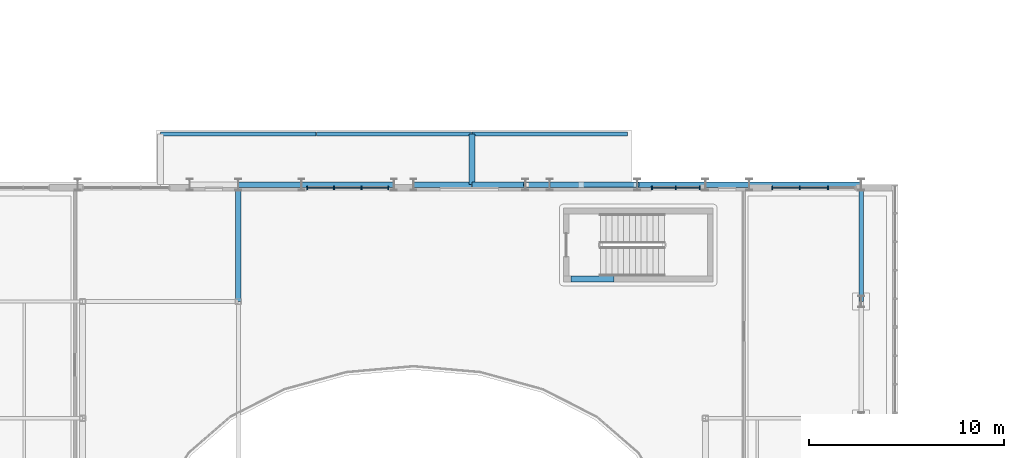
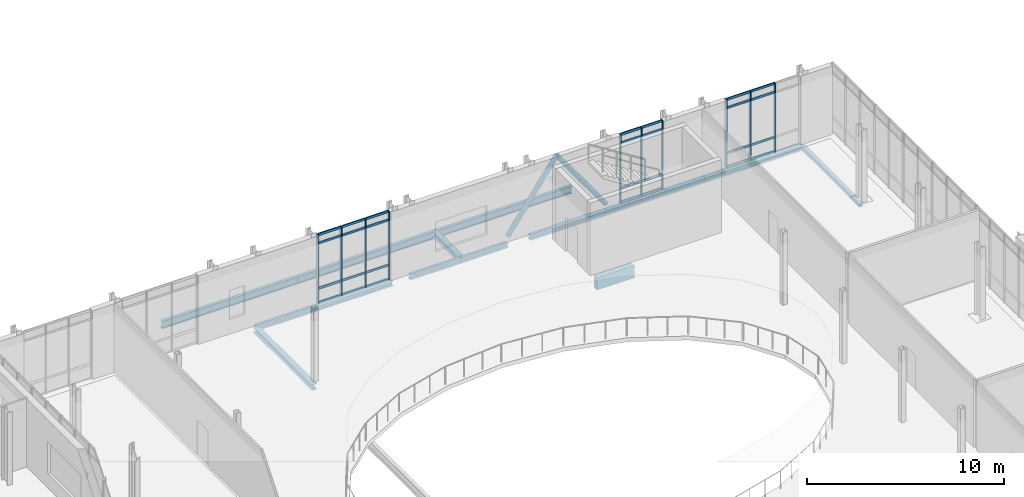
# One storey, part 32 of 100: 40 members, 15 beams, 3 elements without a shape of their own.
"""IFC4 building model written with IfcOpenShell, lengths in metres."""

from ifc_helpers import new_model, si_unit, direction, frame, origin, origin_2d, place, context, subcontext, project, spatial, rectangle, hollow_circle, i_section, extrude, material, material_profile, profile_set, type_object, element, aggregate, save


model = new_model("IFC4")

# Units and contexts
model_context = context("Model", 3, precision=1e-05, world=origin(), true_north=direction((0.0, 1.0)))
body_context = subcontext(model_context, "Body", "Model", "MODEL_VIEW")
ifc_project = project(units=[si_unit("LENGTHUNIT", "METRE"), si_unit("AREAUNIT", "SQUARE_METRE"), si_unit("VOLUMEUNIT", "CUBIC_METRE"), si_unit("PLANEANGLEUNIT", "RADIAN"), si_unit("MASSUNIT", "GRAM", prefix="KILO")], contexts=[model_context])

# Site, building, storey
site_placement = place(None, origin())
site = spatial("IfcSite", under=ifc_project, at=site_placement, CompositionType="ELEMENT")
building_placement = place(site_placement, origin())
building = spatial("IfcBuilding", under=site, at=building_placement, Name="Cymarion Research Institute", CompositionType="ELEMENT")
storey_placement = place(building_placement, frame((0.0, 0.0, 4.800048828125)))
storey = spatial("IfcBuildingStorey", under=building, at=storey_placement, Name="L01", CompositionType="ELEMENT", Elevation=4.800048828125)

# Beam
ifc_material_1 = material(Name="Concrete C40/50", Category="concrete")
ifc_material_profile_1 = material_profile(ifc_material_1, rectangle(XDim=0.300048828125, YDim=0.75, at=origin_2d()), Name="RC 300x750")
ifc_profile_set_1 = profile_set([ifc_material_profile_1], Name="Concrete C40/50")
beam_type_1 = type_object("IfcBeamType", Name="COUPLING LINTEL LN01 RC 300x750", PredefinedType="LINTEL", material=ifc_profile_set_1)
beam_1_placement = place(storey_placement, frame((87.699951171875, 36.64990234375, -0.64501953125), z_axis=(1.0, 0.0, 0.0), x_axis=(0.0, 1.0, 0.0)))
element("IfcBeam", 1, at=beam_1_placement, inside=storey, type_object=beam_type_1, Name="L01 C4 core coupling lintel LN01", PredefinedType="LINTEL", context=body_context, shape_type="SweptSolid", body=[
    extrude(rectangle(XDim=0.300048828125, YDim=0.75, at=origin_2d()), origin(), (0.0, 0.0, 1.0), 2.199951171875),
])

# Curtain wall, members
ifc_material_2 = material(Name="Anodised aluminium unitised curtain wall with Low-E glazing", Category="aluminium")
curtain_wall_type_1 = type_object("IfcCurtainWallType", Name="UNITISED CURTAIN WALL CW09 4330X4250", PredefinedType="NOTDEFINED", material=ifc_material_2)
curtain_wall_1_placement = place(storey_placement, origin())
curtain_wall_1 = element("IfcCurtainWall", 2, at=curtain_wall_1_placement, inside=storey, type_object=curtain_wall_type_1, Name="L01 V2 unitised curtain wall CW09 #24", PredefinedType="NOTDEFINED")
ifc_material_3 = material(Name="Anodised aluminium framing", Category="aluminium")
ifc_material_profile_2 = material_profile(ifc_material_3, rectangle(XDim=0.06005859375, YDim=0.179931640625, at=origin_2d()), Name="ALU MULLION 60x180")
ifc_profile_set_2 = profile_set([ifc_material_profile_2], Name="Anodised aluminium framing")
member_type_1 = type_object("IfcMemberType", Name="CURTAIN WALL MULLION ML01 60X180", PredefinedType="MULLION", material=ifc_profile_set_2)
member_1_placement = place(storey_placement, frame((100.89697265625, 41.340087890625, 0.0), z_axis=(0.0, 0.0, 1.0), x_axis=(-1.0, 0.0, 0.0)))
member_1 = element("IfcMember", 3, at=member_1_placement, type_object=member_type_1, Name="CW09 mullion 2", PredefinedType="MULLION", context=body_context, shape_type="SweptSolid", body=[
    extrude(rectangle(XDim=0.06005859375, YDim=0.179931640625, at=origin_2d()), origin(), (0.0, 0.0, 1.0), 4.25),
])
member_2_placement = place(storey_placement, frame((99.453857421875, 41.340087890625, 0.0), z_axis=(0.0, 0.0, 1.0), x_axis=(-1.0, 0.0, 0.0)))
member_2 = element("IfcMember", 4, at=member_2_placement, type_object=member_type_1, Name="CW09 mullion 3", PredefinedType="MULLION", context=body_context, shape_type="SweptSolid", body=[
    extrude(rectangle(XDim=0.06005859375, YDim=0.179931640625, at=origin_2d()), origin(), (0.0, 0.0, 1.0), 4.25),
])
member_3_placement = place(storey_placement, frame((98.040771484375, 41.340087890625, 0.0), z_axis=(0.0, 0.0, 1.0), x_axis=(-1.0, 0.0, 0.0)))
member_3 = element("IfcMember", 5, at=member_3_placement, type_object=member_type_1, Name="CW09 mullion 4", PredefinedType="MULLION", context=body_context, shape_type="SweptSolid", body=[
    extrude(rectangle(XDim=0.06005859375, YDim=0.179931640625, at=origin_2d()), origin(), (0.0, 0.0, 1.0), 4.25),
])

curtain_wall_type_2 = type_object("IfcCurtainWallType", Name="UNITISED CURTAIN WALL CW10 2520X4250", PredefinedType="NOTDEFINED", material=ifc_material_2)
curtain_wall_2_placement = place(storey_placement, origin())
curtain_wall_2 = element("IfcCurtainWall", 6, at=curtain_wall_2_placement, inside=storey, type_object=curtain_wall_type_2, Name="L01 V2 unitised curtain wall CW10 #25", PredefinedType="NOTDEFINED")
member_4_placement = place(storey_placement, frame((94.31005859375, 41.340087890625, 0.0), z_axis=(0.0, 0.0, 1.0), x_axis=(-1.0, 0.0, 0.0)))
member_4 = element("IfcMember", 7, at=member_4_placement, type_object=member_type_1, Name="CW10 mullion 1", PredefinedType="MULLION", context=body_context, shape_type="SweptSolid", body=[
    extrude(rectangle(XDim=0.06005859375, YDim=0.179931640625, at=origin_2d()), origin(), (0.0, 0.0, 1.0), 4.25),
])
member_5_placement = place(storey_placement, frame((93.081787109375, 41.340087890625, 0.0), z_axis=(0.0, 0.0, 1.0), x_axis=(-1.0, 0.0, 0.0)))
member_5 = element("IfcMember", 8, at=member_5_placement, type_object=member_type_1, Name="CW10 mullion 2", PredefinedType="MULLION", context=body_context, shape_type="SweptSolid", body=[
    extrude(rectangle(XDim=0.06005859375, YDim=0.179931640625, at=origin_2d()), origin(), (0.0, 0.0, 1.0), 4.25),
])
member_6_placement = place(storey_placement, frame((91.853515625, 41.340087890625, 0.0), z_axis=(0.0, 0.0, 1.0), x_axis=(-1.0, 0.0, 0.0)))
member_6 = element("IfcMember", 9, at=member_6_placement, type_object=member_type_1, Name="CW10 mullion 3", PredefinedType="MULLION", context=body_context, shape_type="SweptSolid", body=[
    extrude(rectangle(XDim=0.06005859375, YDim=0.179931640625, at=origin_2d()), origin(), (0.0, 0.0, 1.0), 4.25),
])

curtain_wall_type_3 = type_object("IfcCurtainWallType", Name="UNITISED CURTAIN WALL CW11 4230X4250", PredefinedType="NOTDEFINED", material=ifc_material_2)
curtain_wall_3_placement = place(storey_placement, origin())
curtain_wall_3 = element("IfcCurtainWall", 10, at=curtain_wall_3_placement, inside=storey, type_object=curtain_wall_type_3, Name="L01 V2 unitised curtain wall CW11 #26", PredefinedType="NOTDEFINED")
member_7_placement = place(storey_placement, frame((78.31005859375, 41.340087890625, 0.0), z_axis=(0.0, 0.0, 1.0), x_axis=(-1.0, 0.0, 0.0)))
member_7 = element("IfcMember", 11, at=member_7_placement, type_object=member_type_1, Name="CW11 mullion 1", PredefinedType="MULLION", context=body_context, shape_type="SweptSolid", body=[
    extrude(rectangle(XDim=0.06005859375, YDim=0.179931640625, at=origin_2d()), origin(), (0.0, 0.0, 1.0), 4.25),
])
member_8_placement = place(storey_placement, frame((76.929931640625, 41.340087890625, 0.0), z_axis=(0.0, 0.0, 1.0), x_axis=(-1.0, 0.0, 0.0)))
member_8 = element("IfcMember", 12, at=member_8_placement, type_object=member_type_1, Name="CW11 mullion 2", PredefinedType="MULLION", context=body_context, shape_type="SweptSolid", body=[
    extrude(rectangle(XDim=0.06005859375, YDim=0.179931640625, at=origin_2d()), origin(), (0.0, 0.0, 1.0), 4.25),
])
member_9_placement = place(storey_placement, frame((75.52001953125, 41.340087890625, 0.0), z_axis=(0.0, 0.0, 1.0), x_axis=(-1.0, 0.0, 0.0)))
member_9 = element("IfcMember", 13, at=member_9_placement, type_object=member_type_1, Name="CW11 mullion 3", PredefinedType="MULLION", context=body_context, shape_type="SweptSolid", body=[
    extrude(rectangle(XDim=0.06005859375, YDim=0.179931640625, at=origin_2d()), origin(), (0.0, 0.0, 1.0), 4.25),
])
member_10_placement = place(storey_placement, frame((74.139892578125, 41.340087890625, 0.0), z_axis=(0.0, 0.0, 1.0), x_axis=(-1.0, 0.0, 0.0)))
member_10 = element("IfcMember", 14, at=member_10_placement, type_object=member_type_1, Name="CW11 mullion 4", PredefinedType="MULLION", context=body_context, shape_type="SweptSolid", body=[
    extrude(rectangle(XDim=0.06005859375, YDim=0.179931640625, at=origin_2d()), origin(), (0.0, 0.0, 1.0), 4.25),
])

# Member
ifc_material_profile_3 = material_profile(ifc_material_3, rectangle(XDim=0.06005859375, YDim=0.14990234375, at=origin_2d()), Name="ALU TRANSOM 60x150")
ifc_profile_set_3 = profile_set([ifc_material_profile_3], Name="Anodised aluminium framing")
member_type_2 = type_object("IfcMemberType", Name="CURTAIN WALL TRANSOM TR01 60X150", PredefinedType="USERDEFINED", material=ifc_profile_set_3)
member_11_placement = place(storey_placement, frame((100.866943359375, 41.340087890625, 0.030029296875), z_axis=(-1.0, 0.0, 0.0), x_axis=(0.0, -1.0, 0.0)))
member_11 = element("IfcMember", 15, at=member_11_placement, type_object=member_type_2, Name="CW09 transom 2.1", ObjectType="TRANSOM", PredefinedType="USERDEFINED", context=body_context, shape_type="SweptSolid", body=[
    extrude(rectangle(XDim=0.06005859375, YDim=0.14990234375, at=origin_2d()), origin(), (0.0, 0.0, 1.0), 1.383056640625),
])

member_12_placement = place(storey_placement, frame((100.866943359375, 41.340087890625, 0.89990234375), z_axis=(-1.0, 0.0, 0.0), x_axis=(0.0, -1.0, 0.0)))
member_12 = element("IfcMember", 16, at=member_12_placement, type_object=member_type_2, Name="CW09 transom 2.2", ObjectType="TRANSOM", PredefinedType="USERDEFINED", context=body_context, shape_type="SweptSolid", body=[
    extrude(rectangle(XDim=0.06005859375, YDim=0.14990234375, at=origin_2d()), origin(), (0.0, 0.0, 1.0), 1.383056640625),
])

member_13_placement = place(storey_placement, frame((100.866943359375, 41.340087890625, 3.699951171875), z_axis=(-1.0, 0.0, 0.0), x_axis=(0.0, -1.0, 0.0)))
member_13 = element("IfcMember", 17, at=member_13_placement, type_object=member_type_2, Name="CW09 transom 2.3", ObjectType="TRANSOM", PredefinedType="USERDEFINED", context=body_context, shape_type="SweptSolid", body=[
    extrude(rectangle(XDim=0.06005859375, YDim=0.14990234375, at=origin_2d()), origin(), (0.0, 0.0, 1.0), 1.383056640625),
])

member_14_placement = place(storey_placement, frame((100.866943359375, 41.340087890625, 4.219970703125), z_axis=(-1.0, 0.0, 0.0), x_axis=(0.0, -1.0, 0.0)))
member_14 = element("IfcMember", 18, at=member_14_placement, type_object=member_type_2, Name="CW09 transom 2.4", ObjectType="TRANSOM", PredefinedType="USERDEFINED", context=body_context, shape_type="SweptSolid", body=[
    extrude(rectangle(XDim=0.06005859375, YDim=0.14990234375, at=origin_2d()), origin(), (0.0, 0.0, 1.0), 1.383056640625),
])

member_15_placement = place(storey_placement, frame((99.423828125, 41.340087890625, 0.030029296875), z_axis=(-1.0, 0.0, 0.0), x_axis=(0.0, -1.0, 0.0)))
member_15 = element("IfcMember", 19, at=member_15_placement, type_object=member_type_2, Name="CW09 transom 3.1", ObjectType="TRANSOM", PredefinedType="USERDEFINED", context=body_context, shape_type="SweptSolid", body=[
    extrude(rectangle(XDim=0.06005859375, YDim=0.14990234375, at=origin_2d()), origin(), (0.0, 0.0, 1.0), 1.35302734375),
])

member_16_placement = place(storey_placement, frame((99.423828125, 41.340087890625, 0.89990234375), z_axis=(-1.0, 0.0, 0.0), x_axis=(0.0, -1.0, 0.0)))
member_16 = element("IfcMember", 20, at=member_16_placement, type_object=member_type_2, Name="CW09 transom 3.2", ObjectType="TRANSOM", PredefinedType="USERDEFINED", context=body_context, shape_type="SweptSolid", body=[
    extrude(rectangle(XDim=0.06005859375, YDim=0.14990234375, at=origin_2d()), origin(), (0.0, 0.0, 1.0), 1.35302734375),
])

member_17_placement = place(storey_placement, frame((99.423828125, 41.340087890625, 3.699951171875), z_axis=(-1.0, 0.0, 0.0), x_axis=(0.0, -1.0, 0.0)))
member_17 = element("IfcMember", 21, at=member_17_placement, type_object=member_type_2, Name="CW09 transom 3.3", ObjectType="TRANSOM", PredefinedType="USERDEFINED", context=body_context, shape_type="SweptSolid", body=[
    extrude(rectangle(XDim=0.06005859375, YDim=0.14990234375, at=origin_2d()), origin(), (0.0, 0.0, 1.0), 1.35302734375),
])

member_18_placement = place(storey_placement, frame((99.423828125, 41.340087890625, 4.219970703125), z_axis=(-1.0, 0.0, 0.0), x_axis=(0.0, -1.0, 0.0)))
member_18 = element("IfcMember", 22, at=member_18_placement, type_object=member_type_2, Name="CW09 transom 3.4", ObjectType="TRANSOM", PredefinedType="USERDEFINED", context=body_context, shape_type="SweptSolid", body=[
    extrude(rectangle(XDim=0.06005859375, YDim=0.14990234375, at=origin_2d()), origin(), (0.0, 0.0, 1.0), 1.35302734375),
])

aggregate(curtain_wall_1, [member_1, member_2, member_3, member_11, member_12, member_13, member_14, member_15, member_16, member_17, member_18])

member_19_placement = place(storey_placement, frame((94.280029296875, 41.340087890625, 0.030029296875), z_axis=(-1.0, 0.0, 0.0), x_axis=(0.0, -1.0, 0.0)))
member_19 = element("IfcMember", 23, at=member_19_placement, type_object=member_type_2, Name="CW10 transom 1.1", ObjectType="TRANSOM", PredefinedType="USERDEFINED", context=body_context, shape_type="SweptSolid", body=[
    extrude(rectangle(XDim=0.06005859375, YDim=0.14990234375, at=origin_2d()), origin(), (0.0, 0.0, 1.0), 1.168212890625),
])

member_20_placement = place(storey_placement, frame((94.280029296875, 41.340087890625, 0.89990234375), z_axis=(-1.0, 0.0, 0.0), x_axis=(0.0, -1.0, 0.0)))
member_20 = element("IfcMember", 24, at=member_20_placement, type_object=member_type_2, Name="CW10 transom 1.2", ObjectType="TRANSOM", PredefinedType="USERDEFINED", context=body_context, shape_type="SweptSolid", body=[
    extrude(rectangle(XDim=0.06005859375, YDim=0.14990234375, at=origin_2d()), origin(), (0.0, 0.0, 1.0), 1.168212890625),
])

member_21_placement = place(storey_placement, frame((94.280029296875, 41.340087890625, 3.699951171875), z_axis=(-1.0, 0.0, 0.0), x_axis=(0.0, -1.0, 0.0)))
member_21 = element("IfcMember", 25, at=member_21_placement, type_object=member_type_2, Name="CW10 transom 1.3", ObjectType="TRANSOM", PredefinedType="USERDEFINED", context=body_context, shape_type="SweptSolid", body=[
    extrude(rectangle(XDim=0.06005859375, YDim=0.14990234375, at=origin_2d()), origin(), (0.0, 0.0, 1.0), 1.168212890625),
])

member_22_placement = place(storey_placement, frame((94.280029296875, 41.340087890625, 4.219970703125), z_axis=(-1.0, 0.0, 0.0), x_axis=(0.0, -1.0, 0.0)))
member_22 = element("IfcMember", 26, at=member_22_placement, type_object=member_type_2, Name="CW10 transom 1.4", ObjectType="TRANSOM", PredefinedType="USERDEFINED", context=body_context, shape_type="SweptSolid", body=[
    extrude(rectangle(XDim=0.06005859375, YDim=0.14990234375, at=origin_2d()), origin(), (0.0, 0.0, 1.0), 1.168212890625),
])

member_23_placement = place(storey_placement, frame((93.0517578125, 41.340087890625, 0.030029296875), z_axis=(-1.0, 0.0, 0.0), x_axis=(0.0, -1.0, 0.0)))
member_23 = element("IfcMember", 27, at=member_23_placement, type_object=member_type_2, Name="CW10 transom 2.1", ObjectType="TRANSOM", PredefinedType="USERDEFINED", context=body_context, shape_type="SweptSolid", body=[
    extrude(rectangle(XDim=0.06005859375, YDim=0.14990234375, at=origin_2d()), origin(), (0.0, 0.0, 1.0), 1.168212890625),
])

member_24_placement = place(storey_placement, frame((93.0517578125, 41.340087890625, 0.89990234375), z_axis=(-1.0, 0.0, 0.0), x_axis=(0.0, -1.0, 0.0)))
member_24 = element("IfcMember", 28, at=member_24_placement, type_object=member_type_2, Name="CW10 transom 2.2", ObjectType="TRANSOM", PredefinedType="USERDEFINED", context=body_context, shape_type="SweptSolid", body=[
    extrude(rectangle(XDim=0.06005859375, YDim=0.14990234375, at=origin_2d()), origin(), (0.0, 0.0, 1.0), 1.168212890625),
])

member_25_placement = place(storey_placement, frame((93.0517578125, 41.340087890625, 3.699951171875), z_axis=(-1.0, 0.0, 0.0), x_axis=(0.0, -1.0, 0.0)))
member_25 = element("IfcMember", 29, at=member_25_placement, type_object=member_type_2, Name="CW10 transom 2.3", ObjectType="TRANSOM", PredefinedType="USERDEFINED", context=body_context, shape_type="SweptSolid", body=[
    extrude(rectangle(XDim=0.06005859375, YDim=0.14990234375, at=origin_2d()), origin(), (0.0, 0.0, 1.0), 1.168212890625),
])

member_26_placement = place(storey_placement, frame((93.0517578125, 41.340087890625, 4.219970703125), z_axis=(-1.0, 0.0, 0.0), x_axis=(0.0, -1.0, 0.0)))
member_26 = element("IfcMember", 30, at=member_26_placement, type_object=member_type_2, Name="CW10 transom 2.4", ObjectType="TRANSOM", PredefinedType="USERDEFINED", context=body_context, shape_type="SweptSolid", body=[
    extrude(rectangle(XDim=0.06005859375, YDim=0.14990234375, at=origin_2d()), origin(), (0.0, 0.0, 1.0), 1.168212890625),
])

aggregate(curtain_wall_2, [member_4, member_5, member_6, member_19, member_20, member_21, member_22, member_23, member_24, member_25, member_26])

member_27_placement = place(storey_placement, frame((78.280029296875, 41.340087890625, 0.030029296875), z_axis=(-1.0, 0.0, 0.0), x_axis=(0.0, -1.0, 0.0)))
member_27 = element("IfcMember", 31, at=member_27_placement, type_object=member_type_2, Name="CW11 transom 1.1", ObjectType="TRANSOM", PredefinedType="USERDEFINED", context=body_context, shape_type="SweptSolid", body=[
    extrude(rectangle(XDim=0.06005859375, YDim=0.14990234375, at=origin_2d()), origin(), (0.0, 0.0, 1.0), 1.320068359375),
])

member_28_placement = place(storey_placement, frame((78.280029296875, 41.340087890625, 0.89990234375), z_axis=(-1.0, 0.0, 0.0), x_axis=(0.0, -1.0, 0.0)))
member_28 = element("IfcMember", 32, at=member_28_placement, type_object=member_type_2, Name="CW11 transom 1.2", ObjectType="TRANSOM", PredefinedType="USERDEFINED", context=body_context, shape_type="SweptSolid", body=[
    extrude(rectangle(XDim=0.06005859375, YDim=0.14990234375, at=origin_2d()), origin(), (0.0, 0.0, 1.0), 1.320068359375),
])

member_29_placement = place(storey_placement, frame((78.280029296875, 41.340087890625, 3.699951171875), z_axis=(-1.0, 0.0, 0.0), x_axis=(0.0, -1.0, 0.0)))
member_29 = element("IfcMember", 33, at=member_29_placement, type_object=member_type_2, Name="CW11 transom 1.3", ObjectType="TRANSOM", PredefinedType="USERDEFINED", context=body_context, shape_type="SweptSolid", body=[
    extrude(rectangle(XDim=0.06005859375, YDim=0.14990234375, at=origin_2d()), origin(), (0.0, 0.0, 1.0), 1.320068359375),
])

member_30_placement = place(storey_placement, frame((78.280029296875, 41.340087890625, 4.219970703125), z_axis=(-1.0, 0.0, 0.0), x_axis=(0.0, -1.0, 0.0)))
member_30 = element("IfcMember", 34, at=member_30_placement, type_object=member_type_2, Name="CW11 transom 1.4", ObjectType="TRANSOM", PredefinedType="USERDEFINED", context=body_context, shape_type="SweptSolid", body=[
    extrude(rectangle(XDim=0.06005859375, YDim=0.14990234375, at=origin_2d()), origin(), (0.0, 0.0, 1.0), 1.320068359375),
])

member_31_placement = place(storey_placement, frame((76.89990234375, 41.340087890625, 0.030029296875), z_axis=(-1.0, 0.0, 0.0), x_axis=(0.0, -1.0, 0.0)))
member_31 = element("IfcMember", 35, at=member_31_placement, type_object=member_type_2, Name="CW11 transom 2.1", ObjectType="TRANSOM", PredefinedType="USERDEFINED", context=body_context, shape_type="SweptSolid", body=[
    extrude(rectangle(XDim=0.06005859375, YDim=0.14990234375, at=origin_2d()), origin(), (0.0, 0.0, 1.0), 1.349853515625),
])

member_32_placement = place(storey_placement, frame((76.89990234375, 41.340087890625, 0.89990234375), z_axis=(-1.0, 0.0, 0.0), x_axis=(0.0, -1.0, 0.0)))
member_32 = element("IfcMember", 36, at=member_32_placement, type_object=member_type_2, Name="CW11 transom 2.2", ObjectType="TRANSOM", PredefinedType="USERDEFINED", context=body_context, shape_type="SweptSolid", body=[
    extrude(rectangle(XDim=0.06005859375, YDim=0.14990234375, at=origin_2d()), origin(), (0.0, 0.0, 1.0), 1.349853515625),
])

member_33_placement = place(storey_placement, frame((76.89990234375, 41.340087890625, 3.699951171875), z_axis=(-1.0, 0.0, 0.0), x_axis=(0.0, -1.0, 0.0)))
member_33 = element("IfcMember", 37, at=member_33_placement, type_object=member_type_2, Name="CW11 transom 2.3", ObjectType="TRANSOM", PredefinedType="USERDEFINED", context=body_context, shape_type="SweptSolid", body=[
    extrude(rectangle(XDim=0.06005859375, YDim=0.14990234375, at=origin_2d()), origin(), (0.0, 0.0, 1.0), 1.349853515625),
])

member_34_placement = place(storey_placement, frame((76.89990234375, 41.340087890625, 4.219970703125), z_axis=(-1.0, 0.0, 0.0), x_axis=(0.0, -1.0, 0.0)))
member_34 = element("IfcMember", 38, at=member_34_placement, type_object=member_type_2, Name="CW11 transom 2.4", ObjectType="TRANSOM", PredefinedType="USERDEFINED", context=body_context, shape_type="SweptSolid", body=[
    extrude(rectangle(XDim=0.06005859375, YDim=0.14990234375, at=origin_2d()), origin(), (0.0, 0.0, 1.0), 1.349853515625),
])

member_35_placement = place(storey_placement, frame((75.489990234375, 41.340087890625, 0.030029296875), z_axis=(-1.0, 0.0, 0.0), x_axis=(0.0, -1.0, 0.0)))
member_35 = element("IfcMember", 39, at=member_35_placement, type_object=member_type_2, Name="CW11 transom 3.1", ObjectType="TRANSOM", PredefinedType="USERDEFINED", context=body_context, shape_type="SweptSolid", body=[
    extrude(rectangle(XDim=0.06005859375, YDim=0.14990234375, at=origin_2d()), origin(), (0.0, 0.0, 1.0), 1.320068359375),
])

member_36_placement = place(storey_placement, frame((75.489990234375, 41.340087890625, 0.89990234375), z_axis=(-1.0, 0.0, 0.0), x_axis=(0.0, -1.0, 0.0)))
member_36 = element("IfcMember", 40, at=member_36_placement, type_object=member_type_2, Name="CW11 transom 3.2", ObjectType="TRANSOM", PredefinedType="USERDEFINED", context=body_context, shape_type="SweptSolid", body=[
    extrude(rectangle(XDim=0.06005859375, YDim=0.14990234375, at=origin_2d()), origin(), (0.0, 0.0, 1.0), 1.320068359375),
])

member_37_placement = place(storey_placement, frame((75.489990234375, 41.340087890625, 3.699951171875), z_axis=(-1.0, 0.0, 0.0), x_axis=(0.0, -1.0, 0.0)))
member_37 = element("IfcMember", 41, at=member_37_placement, type_object=member_type_2, Name="CW11 transom 3.3", ObjectType="TRANSOM", PredefinedType="USERDEFINED", context=body_context, shape_type="SweptSolid", body=[
    extrude(rectangle(XDim=0.06005859375, YDim=0.14990234375, at=origin_2d()), origin(), (0.0, 0.0, 1.0), 1.320068359375),
])

member_38_placement = place(storey_placement, frame((75.489990234375, 41.340087890625, 4.219970703125), z_axis=(-1.0, 0.0, 0.0), x_axis=(0.0, -1.0, 0.0)))
member_38 = element("IfcMember", 42, at=member_38_placement, type_object=member_type_2, Name="CW11 transom 3.4", ObjectType="TRANSOM", PredefinedType="USERDEFINED", context=body_context, shape_type="SweptSolid", body=[
    extrude(rectangle(XDim=0.06005859375, YDim=0.14990234375, at=origin_2d()), origin(), (0.0, 0.0, 1.0), 1.320068359375),
])

aggregate(curtain_wall_3, [member_7, member_8, member_9, member_10, member_27, member_28, member_29, member_30, member_31, member_32, member_33, member_34, member_35, member_36, member_37, member_38])

# Beams
ifc_material_4 = material(Name="Steel S355", Category="steel")
ifc_material_profile_4 = material_profile(ifc_material_4, i_section(OverallWidth=0.18994140625, OverallDepth=0.449951171875, WebThickness=0.009521484375, FlangeThickness=0.0146484375, FilletRadius=0.02099609375, at=origin_2d()), Name="IPE 450")
ifc_profile_set_4 = profile_set([ifc_material_profile_4], Name="Steel S355")
beam_type_2 = type_object("IfcBeamType", Name="PRIMARY GIRDER BM04 IPE 450", PredefinedType="BEAM", material=ifc_profile_set_4)
for number, where, z_axis, x_axis, name in (
    (43, (66.60595703125, 44.10009765625, -0.364990234375), (1.0, 0.0, 0.0), (0.0, 1.0, 0.0), "L01 V2 girder BM04 #493"),
    (44, (74.60595703125, 44.10009765625, -0.364990234375), (1.0, 0.0, 0.0), (0.0, 1.0, 0.0), "L01 V2 girder BM04 #494"),
    (45, (82.60595703125, 44.10009765625, -0.364990234375), (1.0, 0.0, 0.0), (0.0, 1.0, 0.0), "L01 V2 girder BM04 #495"),
):
    element("IfcBeam", number, at=place(storey_placement, frame(where, z_axis=z_axis, x_axis=x_axis)), inside=storey, type_object=beam_type_2, Name=name, PredefinedType="BEAM", context=body_context, shape_type="SweptSolid", body=[
        extrude(i_section(OverallWidth=0.18994140625, OverallDepth=0.449951171875, WebThickness=0.009521484375, FlangeThickness=0.0146484375, FilletRadius=0.02099609375, at=origin_2d()), origin(), (0.0, 0.0, 1.0), 7.988037109375),
    ])
ifc_material_profile_5 = material_profile(ifc_material_4, i_section(OverallWidth=0.300048828125, OverallDepth=0.35009765625, WebThickness=0.010009765625, FlangeThickness=0.017578125, FilletRadius=0.027099609375, at=origin_2d()), Name="HEA 360")
ifc_profile_set_5 = profile_set([ifc_material_profile_5], Name="Steel S355")
beam_type_3 = type_object("IfcBeamType", Name="PRIMARY GIRDER BM12 HEA 360", PredefinedType="BEAM", material=ifc_profile_set_5)
beam_2_placement = place(storey_placement, frame((70.60009765625, 35.506103515625, -0.425048828125), z_axis=(0.0, 1.0, 0.0), x_axis=(-1.0, 0.0, 0.0)))
element("IfcBeam", 46, at=beam_2_placement, inside=storey, type_object=beam_type_3, Name="L01 V2 girder BM12 #509", PredefinedType="BEAM", context=body_context, shape_type="SweptSolid", body=[
    extrude(i_section(OverallWidth=0.300048828125, OverallDepth=0.35009765625, WebThickness=0.010009765625, FlangeThickness=0.017578125, FilletRadius=0.027099609375, at=origin_2d()), origin(), (0.0, 0.0, 1.0), 5.98779296875),
])
beam_3_placement = place(storey_placement, frame((82.60009765625, 41.506103515625, -0.31494140625), z_axis=(0.0, 1.0, 0.0), x_axis=(-1.0, 0.0, 0.0)))
element("IfcBeam", 47, at=beam_3_placement, inside=storey, type_object=beam_type_3, Name="L01 V2 girder BM12 #511", PredefinedType="BEAM", context=body_context, shape_type="SweptSolid", body=[
    extrude(i_section(OverallWidth=0.300048828125, OverallDepth=0.35009765625, WebThickness=0.010009765625, FlangeThickness=0.017578125, FilletRadius=0.027099609375, at=origin_2d()), origin(), (0.0, 0.0, 1.0), 2.587890625),
])
ifc_material_profile_6 = material_profile(ifc_material_4, i_section(OverallWidth=0.280029296875, OverallDepth=0.27001953125, WebThickness=0.008056640625, FlangeThickness=0.012939453125, FilletRadius=0.02392578125, at=origin_2d()), Name="HEA 280")
ifc_profile_set_6 = profile_set([ifc_material_profile_6], Name="Steel S355")
beam_type_4 = type_object("IfcBeamType", Name="SPANDREL BEAM SPB02 HEA 280", PredefinedType="SPANDREL", material=ifc_profile_set_6)
beam_4_placement = place(storey_placement, frame((70.60595703125, 41.5, -0.385009765625), z_axis=(1.0, 0.0, 0.0), x_axis=(0.0, 1.0, 0.0)))
element("IfcBeam", 48, at=beam_4_placement, inside=storey, type_object=beam_type_4, Name="L01 V2 girder SPB02 #485", PredefinedType="SPANDREL", context=body_context, shape_type="SweptSolid", body=[
    extrude(i_section(OverallWidth=0.280029296875, OverallDepth=0.27001953125, WebThickness=0.008056640625, FlangeThickness=0.012939453125, FilletRadius=0.02392578125, at=origin_2d()), origin(), (0.0, 0.0, 1.0), 3.238037109375),
])
beam_5_placement = place(storey_placement, frame((73.85595703125, 41.5, -0.385009765625), z_axis=(1.0, 0.0, 0.0), x_axis=(0.0, 1.0, 0.0)))
element("IfcBeam", 49, at=beam_5_placement, inside=storey, type_object=beam_type_4, Name="L01 V2 girder SPB02 #486", PredefinedType="SPANDREL", context=body_context, shape_type="SweptSolid", body=[
    extrude(i_section(OverallWidth=0.280029296875, OverallDepth=0.27001953125, WebThickness=0.008056640625, FlangeThickness=0.012939453125, FilletRadius=0.02392578125, at=origin_2d()), origin(), (0.0, 0.0, 1.0), 4.738037109375),
])
beam_6_placement = place(storey_placement, frame((79.60595703125, 41.5, -0.385009765625), z_axis=(1.0, 0.0, 0.0), x_axis=(0.0, 1.0, 0.0)))
element("IfcBeam", 50, at=beam_6_placement, inside=storey, type_object=beam_type_4, Name="L01 V2 girder SPB02 #487", PredefinedType="SPANDREL", context=body_context, shape_type="SweptSolid", body=[
    extrude(i_section(OverallWidth=0.280029296875, OverallDepth=0.27001953125, WebThickness=0.008056640625, FlangeThickness=0.012939453125, FilletRadius=0.02392578125, at=origin_2d()), origin(), (0.0, 0.0, 1.0), 2.988037109375),
])
beam_7_placement = place(storey_placement, frame((82.60595703125, 41.5, -0.385009765625), z_axis=(1.0, 0.0, 0.0), x_axis=(0.0, 1.0, 0.0)))
element("IfcBeam", 51, at=beam_7_placement, inside=storey, type_object=beam_type_4, Name="L01 V2 girder SPB02 #488", PredefinedType="SPANDREL", context=body_context, shape_type="SweptSolid", body=[
    extrude(i_section(OverallWidth=0.280029296875, OverallDepth=0.27001953125, WebThickness=0.008056640625, FlangeThickness=0.012939453125, FilletRadius=0.02392578125, at=origin_2d()), origin(), (0.0, 0.0, 1.0), 2.738037109375),
])
beam_8_placement = place(storey_placement, frame((86.60595703125, 41.5, -0.385009765625), z_axis=(1.0, 0.0, 0.0), x_axis=(0.0, 1.0, 0.0)))
element("IfcBeam", 52, at=beam_8_placement, inside=storey, type_object=beam_type_4, Name="L01 V2 girder SPB02 #489", PredefinedType="SPANDREL", context=body_context, shape_type="SweptSolid", body=[
    extrude(i_section(OverallWidth=0.280029296875, OverallDepth=0.27001953125, WebThickness=0.008056640625, FlangeThickness=0.012939453125, FilletRadius=0.02392578125, at=origin_2d()), origin(), (0.0, 0.0, 1.0), 4.488037109375),
])
beam_9_placement = place(storey_placement, frame((91.10595703125, 41.5, -0.385009765625), z_axis=(1.0, 0.0, 0.0), x_axis=(0.0, 1.0, 0.0)))
element("IfcBeam", 53, at=beam_9_placement, inside=storey, type_object=beam_type_4, Name="L01 V2 girder SPB02 #490", PredefinedType="SPANDREL", context=body_context, shape_type="SweptSolid", body=[
    extrude(i_section(OverallWidth=0.280029296875, OverallDepth=0.27001953125, WebThickness=0.008056640625, FlangeThickness=0.012939453125, FilletRadius=0.02392578125, at=origin_2d()), origin(), (0.0, 0.0, 1.0), 3.488037109375),
])
beam_10_placement = place(storey_placement, frame((94.60595703125, 41.5, -0.385009765625), z_axis=(1.0, 0.0, 0.0), x_axis=(0.0, 1.0, 0.0)))
element("IfcBeam", 54, at=beam_10_placement, inside=storey, type_object=beam_type_4, Name="L01 V2 girder SPB02 #491", PredefinedType="SPANDREL", context=body_context, shape_type="SweptSolid", body=[
    extrude(i_section(OverallWidth=0.280029296875, OverallDepth=0.27001953125, WebThickness=0.008056640625, FlangeThickness=0.012939453125, FilletRadius=0.02392578125, at=origin_2d()), origin(), (0.0, 0.0, 1.0), 2.238037109375),
])
beam_11_placement = place(storey_placement, frame((96.85595703125, 41.5, -0.385009765625), z_axis=(1.0, 0.0, 0.0), x_axis=(0.0, 1.0, 0.0)))
element("IfcBeam", 55, at=beam_11_placement, inside=storey, type_object=beam_type_4, Name="L01 V2 girder SPB02 #492", PredefinedType="SPANDREL", context=body_context, shape_type="SweptSolid", body=[
    extrude(i_section(OverallWidth=0.280029296875, OverallDepth=0.27001953125, WebThickness=0.008056640625, FlangeThickness=0.012939453125, FilletRadius=0.02392578125, at=origin_2d()), origin(), (0.0, 0.0, 1.0), 5.738037109375),
])
ifc_material_profile_7 = material_profile(ifc_material_4, i_section(OverallWidth=0.239990234375, OverallDepth=0.22998046875, WebThickness=0.007568359375, FlangeThickness=0.011962890625, FilletRadius=0.02099609375, at=origin_2d()), Name="HEA 240")
ifc_profile_set_7 = profile_set([ifc_material_profile_7], Name="Steel S355")
beam_type_5 = type_object("IfcBeamType", Name="SPANDREL BEAM SPB03 HEA 240", PredefinedType="SPANDREL", material=ifc_profile_set_7)
beam_12_placement = place(storey_placement, frame((102.60009765625, 35.506103515625, -0.364990234375), z_axis=(0.0, 1.0, 0.0), x_axis=(-1.0, 0.0, 0.0)))
element("IfcBeam", 56, at=beam_12_placement, inside=storey, type_object=beam_type_5, Name="L01 V2 girder SPB03 #522", PredefinedType="SPANDREL", context=body_context, shape_type="SweptSolid", body=[
    extrude(i_section(OverallWidth=0.239990234375, OverallDepth=0.22998046875, WebThickness=0.007568359375, FlangeThickness=0.011962890625, FilletRadius=0.02099609375, at=origin_2d()), origin(), (0.0, 0.0, 1.0), 5.98779296875),
])

# Members
ifc_material_profile_8 = material_profile(ifc_material_4, hollow_circle(Radius=0.136474609375, WallThickness=0.012451171875, at=origin_2d()), Name="CHS 273.0x12.5")
ifc_profile_set_8 = profile_set([ifc_material_profile_8], Name="Steel S355")
member_type_3 = type_object("IfcMemberType", Name="STRUCTURAL MEMBER BR04 CHS 273.0x12.5", PredefinedType="BRACE", material=ifc_profile_set_8)
for number, where, z_axis, x_axis, name in (
    (57, (85.36181640625, 41.5, 0.119873046875), (0.582240089664, 0.0, 0.813016898956), (0.0, 1.0, 0.0), "L01 V2 seismic chevron brace BR04 #1"),
    (58, (91.08837890625, 41.5, 0.119873046875), (-0.582272970895, 0.0, 0.812993350136), (0.0, -1.0, 0.0), "L01 V2 seismic chevron brace BR04 #2"),
):
    element("IfcMember", number, at=place(storey_placement, frame(where, z_axis=z_axis, x_axis=x_axis)), inside=storey, type_object=member_type_3, Name=name, PredefinedType="BRACE", context=body_context, shape_type="SweptSolid", body=[
        extrude(hollow_circle(Radius=0.136474609375, WallThickness=0.012451171875, at=origin_2d()), origin(), (0.0, 0.0, 1.0), 4.90771484375),
    ])

save(model, "model.ifc")
